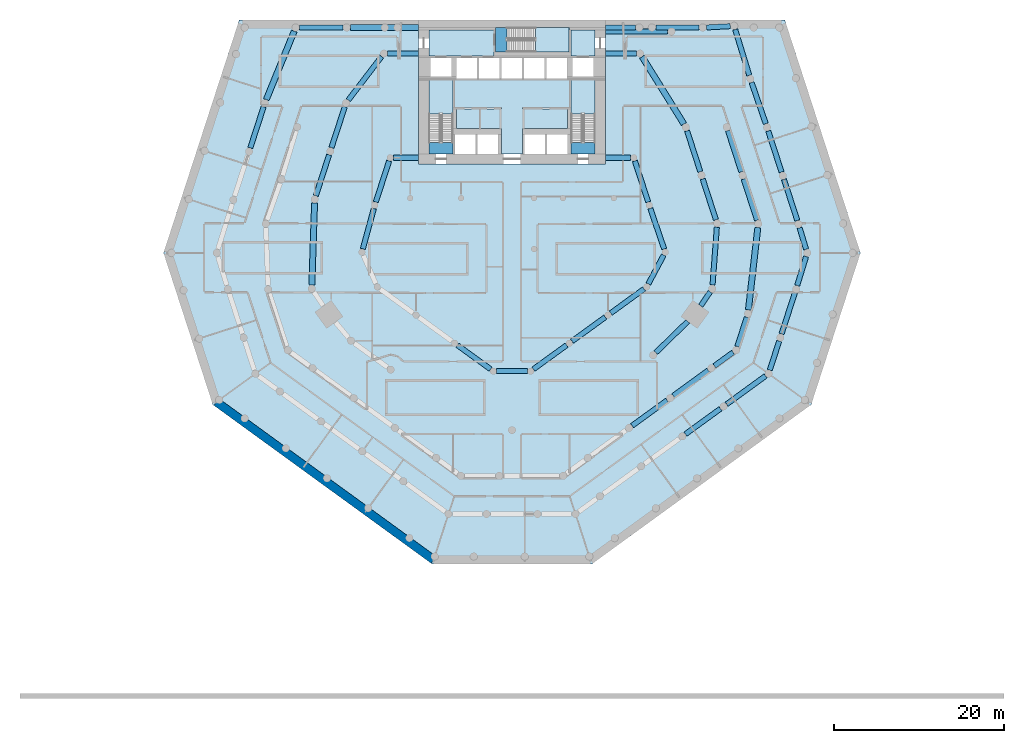
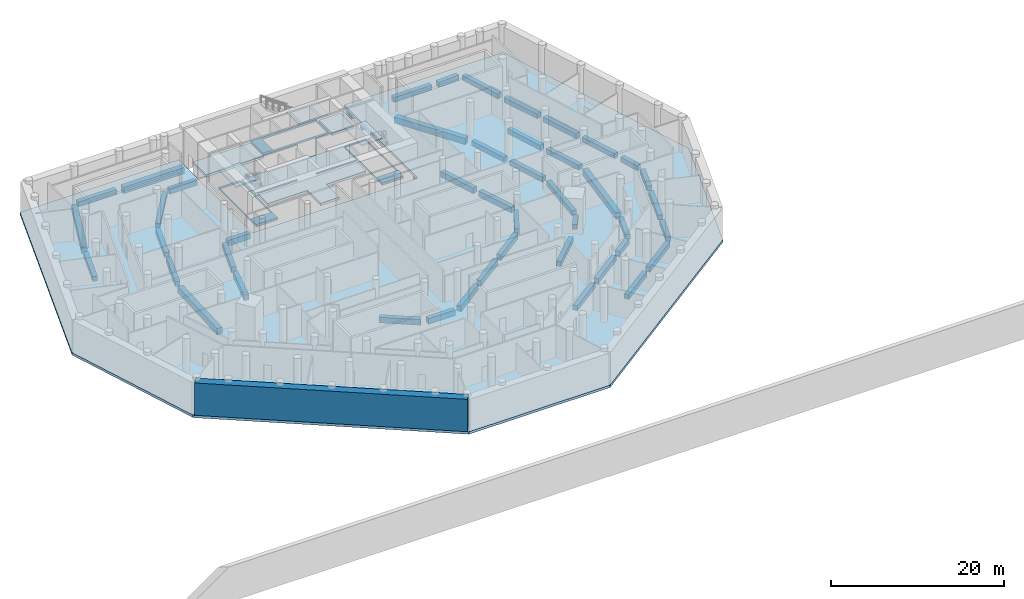
# One storey, part 2 of 10: 49 beams, 10 slabs, 1 wall, 3 elements without a shape of their own.
"""IFC4 building model written with IfcOpenShell, lengths in metres."""

from ifc_helpers import new_model, si_unit, direction, frame, frame_2d, origin, origin_2d, place, context, subcontext, project, spatial, polyline, rectangle, outline, extrude, material, layer, layer_set, material_profile, profile_set, type_object, element, aggregate, save


model = new_model("IFC4")

# Units and contexts
model_context = context("Model", 3, precision=1e-05, world=origin(), true_north=direction((0.0, 1.0)))
body_context = subcontext(model_context, "Body", "Model", "MODEL_VIEW")
ifc_project = project(units=[si_unit("LENGTHUNIT", "METRE"), si_unit("AREAUNIT", "SQUARE_METRE"), si_unit("VOLUMEUNIT", "CUBIC_METRE"), si_unit("PLANEANGLEUNIT", "RADIAN"), si_unit("MASSUNIT", "GRAM", prefix="KILO")], contexts=[model_context])

# Site, building, storey
site_placement = place(None, origin())
site = spatial("IfcSite", under=ifc_project, at=site_placement, CompositionType="ELEMENT")
building_placement = place(site_placement, origin())
building = spatial("IfcBuilding", under=site, at=building_placement, Name="White Candle Pilgrim Tower", CompositionType="ELEMENT")
storey_placement = place(building_placement, frame((0.0, 0.0, -5.0)))
storey = spatial("IfcBuildingStorey", under=building, at=storey_placement, Name="B1", CompositionType="ELEMENT", Elevation=-5.0)

# Beams
ifc_material_1 = material(Name="Concrete C50/60", Category="concrete")
ifc_material_profile_1 = material_profile(ifc_material_1, rectangle(XDim=0.60009765625, YDim=0.800048828125, at=origin_2d()), Name="RC-BM 600x800")
ifc_profile_set_1 = profile_set([ifc_material_profile_1], Name="Concrete C50/60")
beam_type_1 = type_object("IfcBeamType", Name="Ring beam RC-BM 600x800 C50/60", PredefinedType="BEAM", material=ifc_profile_set_1)
beam_1_placement = place(storey_placement, frame((63.56396484375, 49.66552734375, -0.75), z_axis=(0.810124276712, -0.586258182273, 0.0), x_axis=(0.586258182273, 0.810124276712, 0.0)))
element("IfcBeam", 1, at=beam_1_placement, inside=storey, type_object=beam_type_1, Name="B1 ring beam R04", PredefinedType="BEAM", context=body_context, shape_type="SweptSolid", body=[
    extrude(rectangle(XDim=0.60009765625, YDim=0.800048828125, at=origin_2d()), origin(), (0.0, 0.0, 1.0), 4.8291015625),
])
beam_2_placement = place(storey_placement, frame((68.199951171875, 46.60009765625, -0.75), z_axis=(1.0, 0.0, 0.0), x_axis=(0.0, 1.0, 0.0)))
element("IfcBeam", 2, at=beam_2_placement, inside=storey, type_object=beam_type_1, Name="B1 ring beam R05", PredefinedType="BEAM", context=body_context, shape_type="SweptSolid", body=[
    extrude(rectangle(XDim=0.60009765625, YDim=0.800048828125, at=origin_2d()), origin(), (0.0, 0.0, 1.0), 3.60009765625),
])
beam_3_placement = place(storey_placement, frame((72.52392578125, 46.83447265625, -0.75), z_axis=(0.810124276712, 0.586258182273, 0.0), x_axis=(-0.586258182273, 0.810124276712, 0.0)))
element("IfcBeam", 3, at=beam_3_placement, inside=storey, type_object=beam_type_1, Name="B1 ring beam R06", PredefinedType="BEAM", context=body_context, shape_type="SweptSolid", body=[
    extrude(rectangle(XDim=0.60009765625, YDim=0.800048828125, at=origin_2d()), origin(), (0.0, 0.0, 1.0), 4.8291015625),
])
beam_4_placement = place(storey_placement, frame((77.08349609375, 50.135009765625, -0.75), z_axis=(0.809305595912, 0.587387821141, 0.0), x_axis=(-0.587387821141, 0.809305595912, 0.0)))
element("IfcBeam", 4, at=beam_4_placement, inside=storey, type_object=beam_type_1, Name="B1 ring beam R07", PredefinedType="BEAM", context=body_context, shape_type="SweptSolid", body=[
    extrude(rectangle(XDim=0.60009765625, YDim=0.800048828125, at=origin_2d()), origin(), (0.0, 0.0, 1.0), 4.835205078125),
])
beam_5_placement = place(storey_placement, frame((81.643310546875, 53.4453125, -0.75), z_axis=(0.808428473545, 0.588594430115, 0.0), x_axis=(-0.588594430115, 0.808428473545, 0.0)))
element("IfcBeam", 5, at=beam_5_placement, inside=storey, type_object=beam_type_1, Name="B1 ring beam R08", PredefinedType="BEAM", context=body_context, shape_type="SweptSolid", body=[
    extrude(rectangle(XDim=0.60009765625, YDim=0.800048828125, at=origin_2d()), origin(), (0.0, 0.0, 1.0), 4.841064453125),
])
beam_6_placement = place(storey_placement, frame((86.068359375, 56.882568359375, -0.75), z_axis=(0.471131403924, 0.88206303643, 0.0), x_axis=(-0.88206303643, 0.471131403924, 0.0)))
element("IfcBeam", 6, at=beam_6_placement, inside=storey, type_object=beam_type_1, Name="B1 ring beam R09", PredefinedType="BEAM", context=body_context, shape_type="SweptSolid", body=[
    extrude(rectangle(XDim=0.60009765625, YDim=0.800048828125, at=origin_2d()), origin(), (0.0, 0.0, 1.0), 3.8486328125),
])
beam_7_placement = place(storey_placement, frame((87.940673828125, 61.008544921875, -0.75), z_axis=(-0.323420841131, 0.946255229588, 0.0), x_axis=(-0.946255229588, -0.323420841131, 0.0)))
element("IfcBeam", 7, at=beam_7_placement, inside=storey, type_object=beam_type_1, Name="B1 ring beam R10", PredefinedType="BEAM", context=body_context, shape_type="SweptSolid", body=[
    extrude(rectangle(XDim=0.60009765625, YDim=0.800048828125, at=origin_2d()), origin(), (0.0, 0.0, 1.0), 5.0439453125),
])
beam_8_placement = place(storey_placement, frame((86.056396484375, 66.540283203125, -0.75), z_axis=(-0.30907956305, 0.951036184225, 0.0), x_axis=(-0.951036184225, -0.30907956305, 0.0)))
element("IfcBeam", 8, at=beam_8_placement, inside=storey, type_object=beam_type_1, Name="B1 ring beam R11", PredefinedType="BEAM", context=body_context, shape_type="SweptSolid", body=[
    extrude(rectangle(XDim=0.60009765625, YDim=0.800048828125, at=origin_2d()), origin(), (0.0, 0.0, 1.0), 5.088623046875),
])
for number, where, z_axis, x_axis, name in (
    (9, (83.9599609375, 71.760009765625, -0.75), (-1.0, 0.0, 0.0), (0.0, -1.0, 0.0), "B1 ring beam R12"),
    (10, (56.0400390625, 71.760009765625, -0.75), (1.0, 0.0, 0.0), (0.0, 1.0, 0.0), "B1 ring beam R13"),
):
    element("IfcBeam", number, at=place(storey_placement, frame(where, z_axis=z_axis, x_axis=x_axis)), inside=storey, type_object=beam_type_1, Name=name, PredefinedType="BEAM", context=body_context, shape_type="SweptSolid", body=[
        extrude(rectangle(XDim=0.60009765625, YDim=0.800048828125, at=origin_2d()), origin(), (0.0, 0.0, 1.0), 2.9599609375),
    ])
beam_9_placement = place(storey_placement, frame((55.516357421875, 71.379638671875, -0.75), z_axis=(-0.30907956305, -0.951036184225, 0.0), x_axis=(0.951036184225, -0.30907956305, 0.0)))
element("IfcBeam", 11, at=beam_9_placement, inside=storey, type_object=beam_type_1, Name="B1 ring beam R14", PredefinedType="BEAM", context=body_context, shape_type="SweptSolid", body=[
    extrude(rectangle(XDim=0.60009765625, YDim=0.800048828125, at=origin_2d()), origin(), (0.0, 0.0, 1.0), 5.088623046875),
])
beam_10_placement = place(storey_placement, frame((53.714599609375, 65.774169921875, -0.75), z_axis=(-0.263418939206, -0.964681534221, 0.0), x_axis=(0.964681534221, -0.263418939206, 0.0)))
element("IfcBeam", 12, at=beam_10_placement, inside=storey, type_object=beam_type_1, Name="B1 ring beam R15", PredefinedType="BEAM", context=body_context, shape_type="SweptSolid", body=[
    extrude(rectangle(XDim=0.60009765625, YDim=0.800048828125, at=origin_2d()), origin(), (0.0, 0.0, 1.0), 4.9326171875),
])
ifc_material_profile_2 = material_profile(ifc_material_1, rectangle(XDim=0.60009765625, YDim=0.699951171875, at=origin_2d()), Name="RC-BM 600x700")
ifc_profile_set_2 = profile_set([ifc_material_profile_2], Name="Concrete C50/60")
beam_type_2 = type_object("IfcBeamType", Name="Spandrel beam RC-BM 600x700 C50/60", PredefinedType="BEAM", material=ifc_profile_set_2)
beam_11_placement = place(storey_placement, frame((86.96240234375, 48.8037109375, -0.699951171875), z_axis=(0.716431871675, 0.697657059914, 0.0), x_axis=(-0.697657059914, 0.716431871675, 0.0)))
element("IfcBeam", 13, at=beam_11_placement, inside=storey, type_object=beam_type_2, Name="B1 spandrel beam T04", PredefinedType="BEAM", context=body_context, shape_type="SweptSolid", body=[
    extrude(rectangle(XDim=0.60009765625, YDim=0.699951171875, at=origin_2d()), origin(), (0.0, 0.0, 1.0), 5.2275390625),
])
beam_12_placement = place(storey_placement, frame((92.248291015625, 54.297607421875, -0.699951171875), z_axis=(0.556617573138, 0.830768847077, 0.0), x_axis=(-0.830768847077, 0.556617573138, 0.0)))
element("IfcBeam", 14, at=beam_12_placement, inside=storey, type_object=beam_type_2, Name="B1 spandrel beam T05", PredefinedType="BEAM", context=body_context, shape_type="SweptSolid", body=[
    extrude(rectangle(XDim=0.60009765625, YDim=0.699951171875, at=origin_2d()), origin(), (0.0, 0.0, 1.0), 1.99658203125),
])
beam_13_placement = place(storey_placement, frame((93.643310546875, 56.77880859375, -0.699951171875), z_axis=(0.073911295307, 0.997264819607, 0.0), x_axis=(-0.997264819607, 0.073911295307, 0.0)))
element("IfcBeam", 15, at=beam_13_placement, inside=storey, type_object=beam_type_2, Name="B1 spandrel beam T06", PredefinedType="BEAM", context=body_context, shape_type="SweptSolid", body=[
    extrude(rectangle(XDim=0.60009765625, YDim=0.699951171875, at=origin_2d()), origin(), (0.0, 0.0, 1.0), 6.81103515625),
])
for number, where, z_axis, x_axis, name in (
    (16, (94.041015625, 64.447998046875, -0.699951171875), (-0.308620298764, 0.951185319058, 0.0), (-0.951185319058, -0.308620298764, 0.0), "B1 spandrel beam T07"),
    (17, (92.201171875, 70.117919921875, -0.699951171875), (-0.308663940381, 0.951171158051, 0.0), (-0.951171158051, -0.308663940381, 0.0), "B1 spandrel beam T08"),
):
    element("IfcBeam", number, at=place(storey_placement, frame(where, z_axis=z_axis, x_axis=x_axis)), inside=storey, type_object=beam_type_2, Name=name, PredefinedType="BEAM", context=body_context, shape_type="SweptSolid", body=[
        extrude(rectangle(XDim=0.60009765625, YDim=0.699951171875, at=origin_2d()), origin(), (0.0, 0.0, 1.0), 5.061279296875),
    ])
for number, where, z_axis, x_axis, name in (
    (18, (84.64990234375, 84.050048828125, -0.699951171875), (-1.0, 0.0, 0.0), (0.0, -1.0, 0.0), "B1 spandrel beam T10"),
    (19, (55.35009765625, 84.050048828125, -0.699951171875), (1.0, 0.0, 0.0), (0.0, 1.0, 0.0), "B1 spandrel beam T11"),
):
    element("IfcBeam", number, at=place(storey_placement, frame(where, z_axis=z_axis, x_axis=x_axis)), inside=storey, type_object=beam_type_2, Name=name, PredefinedType="BEAM", context=body_context, shape_type="SweptSolid", body=[
        extrude(rectangle(XDim=0.60009765625, YDim=0.699951171875, at=origin_2d()), origin(), (0.0, 0.0, 1.0), 3.64990234375),
    ])
beam_14_placement = place(storey_placement, frame((54.626708984375, 83.6923828125, -0.699951171875), z_axis=(-0.607156985118, -0.794581899758, 0.0), x_axis=(0.794581899758, -0.607156985118, 0.0)))
element("IfcBeam", 20, at=beam_14_placement, inside=storey, type_object=beam_type_2, Name="B1 spandrel beam T12", PredefinedType="BEAM", context=body_context, shape_type="SweptSolid", body=[
    extrude(rectangle(XDim=0.60009765625, YDim=0.699951171875, at=origin_2d()), origin(), (0.0, 0.0, 1.0), 6.462158203125),
])
beam_15_placement = place(storey_placement, frame((50.29052734375, 77.772216796875, -0.699951171875), z_axis=(-0.310219521213, -0.950664950789, 0.0), x_axis=(0.950664950789, -0.310219521213, 0.0)))
element("IfcBeam", 21, at=beam_15_placement, inside=storey, type_object=beam_type_2, Name="B1 spandrel beam T13", PredefinedType="BEAM", context=body_context, shape_type="SweptSolid", body=[
    extrude(rectangle(XDim=0.60009765625, YDim=0.699951171875, at=origin_2d()), origin(), (0.0, 0.0, 1.0), 5.064208984375),
])
beam_16_placement = place(storey_placement, frame((48.441162109375, 72.10205078125, -0.699951171875), z_axis=(-0.308663940381, -0.951171158051, 0.0), x_axis=(0.951171158051, -0.308663940381, 0.0)))
element("IfcBeam", 22, at=beam_16_placement, inside=storey, type_object=beam_type_2, Name="B1 spandrel beam T14", PredefinedType="BEAM", context=body_context, shape_type="SweptSolid", body=[
    extrude(rectangle(XDim=0.60009765625, YDim=0.699951171875, at=origin_2d()), origin(), (0.0, 0.0, 1.0), 5.061279296875),
])
beam_17_placement = place(storey_placement, frame((90.44482421875, 39.17626953125, -0.699951171875), z_axis=(0.809021578494, 0.587778942742, 0.0), x_axis=(-0.587778942742, 0.809021578494, 0.0)))
element("IfcBeam", 23, at=beam_17_placement, inside=storey, type_object=beam_type_2, Name="B1 spandrel beam B15", PredefinedType="BEAM", context=body_context, shape_type="SweptSolid", body=[
    extrude(rectangle(XDim=0.60009765625, YDim=0.699951171875, at=origin_2d()), origin(), (0.0, 0.0, 1.0), 5.1015625),
])
beam_18_placement = place(storey_placement, frame((95.2998046875, 42.703369140625, -0.699951171875), z_axis=(0.808998591139, 0.587810581339, 0.0), x_axis=(-0.587810581339, 0.808998591139, 0.0)))
element("IfcBeam", 24, at=beam_18_placement, inside=storey, type_object=beam_type_2, Name="B1 spandrel beam B16", PredefinedType="BEAM", context=body_context, shape_type="SweptSolid", body=[
    extrude(rectangle(XDim=0.60009765625, YDim=0.699951171875, at=origin_2d()), origin(), (0.0, 0.0, 1.0), 5.6689453125),
])
beam_19_placement = place(storey_placement, frame((100.388916015625, 46.727783203125, -0.699951171875), z_axis=(0.309029111375, 0.951052579158, 0.0), x_axis=(-0.951052579158, 0.309029111375, 0.0)))
element("IfcBeam", 25, at=beam_19_placement, inside=storey, type_object=beam_type_2, Name="B1 spandrel beam B17", PredefinedType="BEAM", context=body_context, shape_type="SweptSolid", body=[
    extrude(rectangle(XDim=0.60009765625, YDim=0.699951171875, at=origin_2d()), origin(), (0.0, 0.0, 1.0), 3.5859375),
])
beam_20_placement = place(storey_placement, frame((101.77490234375, 50.993896484375, -0.699951171875), z_axis=(0.308996245399, 0.951063257796, 0.0), x_axis=(-0.951063257796, 0.308996245399, 0.0)))
element("IfcBeam", 26, at=beam_20_placement, inside=storey, type_object=beam_type_2, Name="B1 spandrel beam B18", PredefinedType="BEAM", context=body_context, shape_type="SweptSolid", body=[
    extrude(rectangle(XDim=0.60009765625, YDim=0.699951171875, at=origin_2d()), origin(), (0.0, 0.0, 1.0), 5.100830078125),
])
beam_21_placement = place(storey_placement, frame((103.6220703125, 56.702880859375, -0.699951171875), z_axis=(0.293527291605, 0.955950693856, 0.0), x_axis=(-0.955950693856, 0.293527291605, 0.0)))
element("IfcBeam", 27, at=beam_21_placement, inside=storey, type_object=beam_type_2, Name="B1 spandrel beam B19", PredefinedType="BEAM", context=body_context, shape_type="SweptSolid", body=[
    extrude(rectangle(XDim=0.60009765625, YDim=0.699951171875, at=origin_2d()), origin(), (0.0, 0.0, 1.0), 3.563232421875),
])
beam_22_placement = place(storey_placement, frame((104.669921875, 60.969482421875, -0.699951171875), z_axis=(-0.289420955616, 0.957201917283, 0.0), x_axis=(-0.957201917283, -0.289420955616, 0.0)))
element("IfcBeam", 28, at=beam_22_placement, inside=storey, type_object=beam_type_2, Name="B1 spandrel beam B20", PredefinedType="BEAM", context=body_context, shape_type="SweptSolid", body=[
    extrude(rectangle(XDim=0.60009765625, YDim=0.699951171875, at=origin_2d()), origin(), (0.0, 0.0, 1.0), 2.646240234375),
])
beam_23_placement = place(storey_placement, frame((103.635009765625, 64.36083984375, -0.699951171875), z_axis=(-0.309126113006, 0.951021054582, 0.0), x_axis=(-0.951021054582, -0.309126113006, 0.0)))
element("IfcBeam", 29, at=beam_23_placement, inside=storey, type_object=beam_type_2, Name="B1 spandrel beam B21", PredefinedType="BEAM", context=body_context, shape_type="SweptSolid", body=[
    extrude(rectangle(XDim=0.60009765625, YDim=0.699951171875, at=origin_2d()), origin(), (0.0, 0.0, 1.0), 5.10107421875),
])
beam_24_placement = place(storey_placement, frame((101.780029296875, 70.06787109375, -0.699951171875), z_axis=(-0.309009217467, 0.951059043131, 0.0), x_axis=(-0.951059043131, -0.309009217467, 0.0)))
element("IfcBeam", 30, at=beam_24_placement, inside=storey, type_object=beam_type_2, Name="B1 spandrel beam B22", PredefinedType="BEAM", context=body_context, shape_type="SweptSolid", body=[
    extrude(rectangle(XDim=0.60009765625, YDim=0.699951171875, at=origin_2d()), origin(), (0.0, 0.0, 1.0), 5.099853515625),
])
beam_25_placement = place(storey_placement, frame((99.918701171875, 75.771484375, -0.699951171875), z_axis=(-0.325498305498, 0.945542623639, 0.0), x_axis=(-0.945542623639, -0.325498305498, 0.0)))
element("IfcBeam", 31, at=beam_25_placement, inside=storey, type_object=beam_type_2, Name="B1 spandrel beam B23", PredefinedType="BEAM", context=body_context, shape_type="SweptSolid", body=[
    extrude(rectangle(XDim=0.60009765625, YDim=0.699951171875, at=origin_2d()), origin(), (0.0, 0.0, 1.0), 5.134765625),
])
beam_26_placement = place(storey_placement, frame((97.968994140625, 81.48193359375, -0.699951171875), z_axis=(-0.293778442659, 0.955873541128, 0.0), x_axis=(-0.955873541128, -0.293778442659, 0.0)))
element("IfcBeam", 32, at=beam_26_placement, inside=storey, type_object=beam_type_2, Name="B1 spandrel beam B24", PredefinedType="BEAM", context=body_context, shape_type="SweptSolid", body=[
    extrude(rectangle(XDim=0.60009765625, YDim=0.699951171875, at=origin_2d()), origin(), (0.0, 0.0, 1.0), 5.636962890625),
])
for number, where, z_axis, x_axis, name in (
    (33, (40.722900390625, 77.771240234375, -0.699951171875), (-0.309009217467, -0.951059043131, 0.0), (0.951059043131, -0.309009217467, 0.0), "B1 spandrel beam B26"),
    (34, (84.159912109375, 40.17236328125, -0.699951171875), (0.809069240735, 0.587713334625, 0.0), (-0.587713334625, 0.809069240735, 0.0), "B1 spandrel beam C11"),
):
    element("IfcBeam", number, at=place(storey_placement, frame(where, z_axis=z_axis, x_axis=x_axis)), inside=storey, type_object=beam_type_2, Name=name, PredefinedType="BEAM", context=body_context, shape_type="SweptSolid", body=[
        extrude(rectangle(XDim=0.60009765625, YDim=0.699951171875, at=origin_2d()), origin(), (0.0, 0.0, 1.0), 5.099853515625),
    ])
beam_27_placement = place(storey_placement, frame((89.013916015625, 43.698486328125, -0.699951171875), z_axis=(0.80900095282, 0.587807330965, 0.0), x_axis=(-0.587807330965, 0.80900095282, 0.0)))
element("IfcBeam", 35, at=beam_27_placement, inside=storey, type_object=beam_type_2, Name="B1 spandrel beam C12", PredefinedType="BEAM", context=body_context, shape_type="SweptSolid", body=[
    extrude(rectangle(XDim=0.60009765625, YDim=0.699951171875, at=origin_2d()), origin(), (0.0, 0.0, 1.0), 5.100341796875),
])
beam_28_placement = place(storey_placement, frame((93.867919921875, 47.225341796875, -0.699951171875), z_axis=(0.809008975915, 0.587796288598, 0.0), x_axis=(-0.587796288598, 0.809008975915, 0.0)))
element("IfcBeam", 36, at=beam_28_placement, inside=storey, type_object=beam_type_2, Name="B1 spandrel beam C13", PredefinedType="BEAM", context=body_context, shape_type="SweptSolid", body=[
    extrude(rectangle(XDim=0.60009765625, YDim=0.699951171875, at=origin_2d()), origin(), (0.0, 0.0, 1.0), 2.707275390625),
])
beam_29_placement = place(storey_placement, frame((96.56103515625, 49.5087890625, -0.699951171875), z_axis=(0.308944435163, 0.951080089152, 0.0), x_axis=(-0.951080089152, 0.308944435163, 0.0)))
element("IfcBeam", 37, at=beam_29_placement, inside=storey, type_object=beam_type_2, Name="B1 spandrel beam C14", PredefinedType="BEAM", context=body_context, shape_type="SweptSolid", body=[
    extrude(rectangle(XDim=0.60009765625, YDim=0.699951171875, at=origin_2d()), origin(), (0.0, 0.0, 1.0), 3.624755859375),
])
beam_30_placement = place(storey_placement, frame((98.89111328125, 64.396728515625, -0.699951171875), z_axis=(-0.308982180599, 0.951067827272, 0.0), x_axis=(-0.951067827272, -0.308982180599, 0.0)))
element("IfcBeam", 38, at=beam_30_placement, inside=storey, type_object=beam_type_2, Name="B1 spandrel beam C16", PredefinedType="BEAM", context=body_context, shape_type="SweptSolid", body=[
    extrude(rectangle(XDim=0.60009765625, YDim=0.699951171875, at=origin_2d()), origin(), (0.0, 0.0, 1.0), 5.10107421875),
])
beam_31_placement = place(storey_placement, frame((97.037109375, 70.103759765625, -0.699951171875), z_axis=(-0.30905251673, 0.951044973649, 0.0), x_axis=(-0.951044973649, -0.30905251673, 0.0)))
element("IfcBeam", 39, at=beam_31_placement, inside=storey, type_object=beam_type_2, Name="B1 spandrel beam C17", PredefinedType="BEAM", context=body_context, shape_type="SweptSolid", body=[
    extrude(rectangle(XDim=0.60009765625, YDim=0.699951171875, at=origin_2d()), origin(), (0.0, 0.0, 1.0), 5.10009765625),
])
beam_32_placement = place(storey_placement, frame((88.35009765625, 86.631103515625, -0.699951171875), z_axis=(-1.0, 0.0, 0.0), x_axis=(0.0, -1.0, 0.0)))
element("IfcBeam", 40, at=beam_32_placement, inside=storey, type_object=beam_type_2, Name="B1 spandrel beam C18", PredefinedType="BEAM", context=body_context, shape_type="SweptSolid", body=[
    extrude(rectangle(XDim=0.60009765625, YDim=0.699951171875, at=origin_2d()), origin(), (0.0, 0.0, 1.0), 7.35009765625),
])
beam_33_placement = place(storey_placement, frame((44.949951171875, 87.10009765625, -0.699951171875), z_axis=(1.0, 0.0, 0.0), x_axis=(0.0, 1.0, 0.0)))
element("IfcBeam", 41, at=beam_33_placement, inside=storey, type_object=beam_type_2, Name="B1 spandrel beam N01", PredefinedType="BEAM", context=body_context, shape_type="SweptSolid", body=[
    extrude(rectangle(XDim=0.60009765625, YDim=0.699951171875, at=origin_2d()), origin(), (0.0, 0.0, 1.0), 5.10009765625),
])
beam_34_placement = place(storey_placement, frame((84.550048828125, 87.10009765625, -0.699951171875), z_axis=(-1.0, 0.0, 0.0), x_axis=(0.0, -1.0, 0.0)))
element("IfcBeam", 42, at=beam_34_placement, inside=storey, type_object=beam_type_2, Name="B1 spandrel beam N04", PredefinedType="BEAM", context=body_context, shape_type="SweptSolid", body=[
    extrude(rectangle(XDim=0.60009765625, YDim=0.699951171875, at=origin_2d()), origin(), (0.0, 0.0, 1.0), 3.550048828125),
])
beam_35_placement = place(storey_placement, frame((86.949951171875, 87.10009765625, -0.699951171875), z_axis=(1.0, 0.0, 0.0), x_axis=(0.0, 1.0, 0.0)))
element("IfcBeam", 43, at=beam_35_placement, inside=storey, type_object=beam_type_2, Name="B1 spandrel beam N05", PredefinedType="BEAM", context=body_context, shape_type="SweptSolid", body=[
    extrude(rectangle(XDim=0.60009765625, YDim=0.699951171875, at=origin_2d()), origin(), (0.0, 0.0, 1.0), 5.10009765625),
])
beam_36_placement = place(storey_placement, frame((92.94921875, 87.12451171875, -0.699951171875), z_axis=(0.998528329196, 0.05423260821, 0.0), x_axis=(-0.05423260821, 0.998528329196, 0.0)))
element("IfcBeam", 44, at=beam_36_placement, inside=storey, type_object=beam_type_2, Name="B1 spandrel beam N06", PredefinedType="BEAM", context=body_context, shape_type="SweptSolid", body=[
    extrude(rectangle(XDim=0.60009765625, YDim=0.699951171875, at=origin_2d()), origin(), (0.0, 0.0, 1.0), 2.78662109375),
])
ifc_material_profile_3 = material_profile(ifc_material_1, rectangle(XDim=0.699951171875, YDim=0.89990234375, at=origin_2d()), Name="RC-BM 700x900")
ifc_profile_set_3 = profile_set([ifc_material_profile_3], Name="Concrete C50/60")
beam_type_3 = type_object("IfcBeamType", Name="Spandrel beam RC-BM 700x900 C50/60", PredefinedType="BEAM", material=ifc_profile_set_3)
beam_37_placement = place(storey_placement, frame((90.2626953125, 75.741943359375, -0.800048828125), z_axis=(-0.527803040247, 0.849366793974, 0.0), x_axis=(-0.849366793974, -0.527803040247, 0.0)))
element("IfcBeam", 45, at=beam_37_placement, inside=storey, type_object=beam_type_3, Name="B1 spandrel beam T09", PredefinedType="BEAM", context=body_context, shape_type="SweptSolid", body=[
    extrude(rectangle(XDim=0.699951171875, YDim=0.89990234375, at=origin_2d()), origin(), (0.0, 0.0, 1.0), 9.331787109375),
])
beam_38_placement = place(storey_placement, frame((46.72509765625, 66.410400390625, -0.800048828125), z_axis=(-0.033240594223, -0.999447378753, 0.0), x_axis=(0.999447378753, -0.033240594223, 0.0)))
element("IfcBeam", 46, at=beam_38_placement, inside=storey, type_object=beam_type_3, Name="B1 spandrel beam T15", PredefinedType="BEAM", context=body_context, shape_type="SweptSolid", body=[
    extrude(rectangle(XDim=0.699951171875, YDim=0.89990234375, at=origin_2d()), origin(), (0.0, 0.0, 1.0), 9.63623046875),
])
beam_39_placement = place(storey_placement, frame((44.329833984375, 86.68359375, -0.800048828125), z_axis=(-0.378339434052, -0.925666933968, 0.0), x_axis=(0.925666933968, -0.378339434052, 0.0)))
element("IfcBeam", 47, at=beam_39_placement, inside=storey, type_object=beam_type_3, Name="B1 spandrel beam B25", PredefinedType="BEAM", context=body_context, shape_type="SweptSolid", body=[
    extrude(rectangle(XDim=0.699951171875, YDim=0.89990234375, at=origin_2d()), origin(), (0.0, 0.0, 1.0), 8.716064453125),
])
beam_40_placement = place(storey_placement, frame((97.87109375, 53.830810546875, -0.800048828125), z_axis=(0.113579061518, 0.993528961221, 0.0), x_axis=(-0.993528961221, 0.113579061518, 0.0)))
element("IfcBeam", 48, at=beam_40_placement, inside=storey, type_object=beam_type_3, Name="B1 spandrel beam C15", PredefinedType="BEAM", context=body_context, shape_type="SweptSolid", body=[
    extrude(rectangle(XDim=0.699951171875, YDim=0.89990234375, at=origin_2d()), origin(), (0.0, 0.0, 1.0), 9.754638671875),
])
beam_41_placement = place(storey_placement, frame((50.949951171875, 87.10009765625, -0.800048828125), z_axis=(1.0, 0.0, 0.0), x_axis=(0.0, 1.0, 0.0)))
element("IfcBeam", 49, at=beam_41_placement, inside=storey, type_object=beam_type_3, Name="B1 spandrel beam C20", PredefinedType="BEAM", context=body_context, shape_type="SweptSolid", body=[
    extrude(rectangle(XDim=0.699951171875, YDim=0.89990234375, at=origin_2d()), origin(), (0.0, 0.0, 1.0), 8.050048828125),
])

# Slabs
ifc_material_2 = material(Name="Concrete C40/50", Category="concrete")
ifc_layer_1 = layer(ifc_material_2, 0.35009765625)
ifc_layer_set_1 = layer_set([ifc_layer_1], Name="Core floor slab 350 mm Concrete C40/50")
slab_type_1 = type_object("IfcSlabType", Name="Core floor slab 350 mm Concrete C40/50", PredefinedType="FLOOR", material=ifc_layer_set_1)
slab_1_placement = place(storey_placement, frame((0.0, 0.0, -0.35009765625)))
element("IfcSlab", 50, at=slab_1_placement, inside=storey, type_object=slab_type_1, Name="CF-B1-01", PredefinedType="FLOOR", context=body_context, shape_type="SweptSolid", body=[
    extrude(outline(polyline([(67.85009765625, 86.800048828125), (67.85009765625, 84.25), (67.85009765625, 83.75), (60.199951171875, 83.75), (60.199951171875, 86.800048828125), (67.85009765625, 86.800048828125)])), origin(), (0.0, 0.0, 1.0), 0.35009765625),
])
slab_2_placement = place(storey_placement, frame((0.0, 0.0, -0.35009765625)))
element("IfcSlab", 51, at=slab_2_placement, inside=storey, type_object=slab_type_1, Name="CF-B1-02", PredefinedType="FLOOR", context=body_context, shape_type="SweptSolid", body=[
    extrude(outline(polyline([(68.050048828125, 87.10009765625), (76.75, 87.10009765625), (76.75, 86.800048828125), (76.75, 84.25), (68.050048828125, 84.25), (68.050048828125, 86.800048828125), (68.050048828125, 87.10009765625)]), holes=[polyline([(69.402099609375, 87.097900390625), (69.402099609375, 84.251953125), (76.748046875, 84.251953125), (76.748046875, 87.097900390625), (69.402099609375, 87.097900390625)])]), origin(), (0.0, 0.0, 1.0), 0.35009765625),
])
slab_3_placement = place(storey_placement, frame((0.0, 0.0, -0.35009765625)))
element("IfcSlab", 52, at=slab_3_placement, inside=storey, type_object=slab_type_1, Name="CF-B1-03", PredefinedType="FLOOR", context=body_context, shape_type="SweptSolid", body=[
    extrude(outline(polyline([(79.800048828125, 86.800048828125), (79.800048828125, 83.75), (76.949951171875, 83.75), (76.949951171875, 84.25), (76.949951171875, 86.800048828125), (79.800048828125, 86.800048828125)])), origin(), (0.0, 0.0, 1.0), 0.35009765625),
])
slab_4_placement = place(storey_placement, frame((0.0, 0.0, -0.35009765625)))
element("IfcSlab", 53, at=slab_4_placement, inside=storey, type_object=slab_type_1, Name="CF-B1-04", PredefinedType="FLOOR", context=body_context, shape_type="SweptSolid", body=[
    extrude(outline(polyline([(79.800048828125, 72.199951171875), (76.949951171875, 72.199951171875), (76.949951171875, 74.5), (76.949951171875, 75.199951171875), (76.949951171875, 77.5), (76.949951171875, 77.699951171875), (76.949951171875, 80.89990234375), (79.800048828125, 80.89990234375), (79.800048828125, 72.199951171875)]), holes=[polyline([(76.951904296875, 73.552001953125), (79.798095703125, 73.552001953125), (79.798095703125, 80.89794921875), (76.951904296875, 80.89794921875), (76.951904296875, 73.552001953125)])]), origin(), (0.0, 0.0, 1.0), 0.35009765625),
])
slab_5_placement = place(storey_placement, frame((0.0, 0.0, -0.35009765625)))
element("IfcSlab", 54, at=slab_5_placement, inside=storey, type_object=slab_type_1, Name="CF-B1-05", PredefinedType="FLOOR", context=body_context, shape_type="SweptSolid", body=[
    extrude(outline(polyline([(68.75, 72.199951171875), (68.75, 74.5), (68.75, 75.199951171875), (63.449951171875, 75.199951171875), (63.449951171875, 77.5), (68.75, 77.5), (68.75, 77.699951171875), (63.25, 77.699951171875), (63.25, 80.89990234375), (76.75, 80.89990234375), (76.75, 77.699951171875), (71.25, 77.699951171875), (71.25, 77.5), (76.550048828125, 77.5), (76.550048828125, 75.199951171875), (71.25, 75.199951171875), (71.25, 74.5), (71.25, 72.199951171875), (68.75, 72.199951171875)])), origin(), (0.0, 0.0, 1.0), 0.35009765625),
])
slab_6_placement = place(storey_placement, frame((0.0, 0.0, -0.35009765625)))
element("IfcSlab", 55, at=slab_6_placement, inside=storey, type_object=slab_type_1, Name="CF-B1-06", PredefinedType="FLOOR", context=body_context, shape_type="SweptSolid", body=[
    extrude(outline(polyline([(60.199951171875, 72.199951171875), (60.199951171875, 80.89990234375), (63.050048828125, 80.89990234375), (63.050048828125, 77.699951171875), (63.050048828125, 77.5), (63.050048828125, 75.199951171875), (63.050048828125, 74.5), (63.050048828125, 72.199951171875), (60.199951171875, 72.199951171875)]), holes=[polyline([(63.048095703125, 73.552001953125), (63.048095703125, 80.89794921875), (60.201904296875, 80.89794921875), (60.201904296875, 73.552001953125), (63.048095703125, 73.552001953125)])]), origin(), (0.0, 0.0, 1.0), 0.35009765625),
])
ifc_layer_2 = layer(ifc_material_2, 0.35009765625)
ifc_layer_set_2 = layer_set([ifc_layer_2], Name="Floor slab 350 REI 120")
slab_type_2 = type_object("IfcSlabType", Name="Floor slab 350 REI 120", PredefinedType="FLOOR", material=ifc_layer_set_2)
slab_7_placement = place(storey_placement, frame((0.0, 0.0, -0.35009765625)))
element("IfcSlab", 56, at=slab_7_placement, inside=storey, type_object=slab_type_2, Name="B1 floor slab", PredefinedType="FLOOR", context=body_context, shape_type="SweptSolid", body=[
    extrude(outline(polyline([(60.596923828125, 23.861083984375), (79.403076171875, 23.861083984375), (105.268798828125, 42.653564453125), (111.080078125, 60.539306640625), (102.157470703125, 88.0), (81.0, 88.0), (81.0, 71.0), (59.0, 71.0), (59.0, 88.0), (37.842529296875, 88.0), (28.919921875, 60.539306640625), (34.731201171875, 42.653564453125), (60.596923828125, 23.861083984375)])), origin(), (0.0, 0.0, 1.0), 0.35009765625),
])

# Stair, slab
stair_type_1 = type_object("IfcStairType", Name="Exit stair 1 flight width 1350 mm", PredefinedType="HALF_TURN_STAIR", material=ifc_material_2)
stair_1_placement = place(storey_placement, origin())
stair_1 = element("IfcStair", 57, at=stair_1_placement, inside=storey, type_object=stair_type_1, Name="B1 stair 1", PredefinedType="NOTDEFINED")
ifc_layer_3 = layer(ifc_material_2, 0.199951171875)
ifc_layer_set_3 = layer_set([ifc_layer_3], Name="Stair landing Concrete C40/50")
slab_type_3 = type_object("IfcSlabType", Name="Stair landing Concrete C40/50", PredefinedType="LANDING", material=ifc_layer_set_3)
slab_8_placement = place(storey_placement, frame((0.0, 0.0, 2.300048828125)))
slab_8 = element("IfcSlab", 58, at=slab_8_placement, type_object=slab_type_3, Name="ST1 landing 1", PredefinedType="LANDING", context=body_context, shape_type="SweptSolid", body=[
    extrude(outline(polyline([(63.052001953125, 76.927978515625), (60.197998046875, 76.927978515625), (60.197998046875, 80.902099609375), (63.052001953125, 80.902099609375), (63.052001953125, 76.927978515625)])), origin(), (0.0, 0.0, 1.0), 0.199951171875),
])
aggregate(stair_1, [slab_8])

stair_type_2 = type_object("IfcStairType", Name="Exit stair 2 flight width 1350 mm", PredefinedType="HALF_TURN_STAIR", material=ifc_material_2)
stair_2_placement = place(storey_placement, origin())
stair_2 = element("IfcStair", 59, at=stair_2_placement, inside=storey, type_object=stair_type_2, Name="B1 stair 2", PredefinedType="NOTDEFINED")
slab_9_placement = place(storey_placement, frame((0.0, 0.0, 2.300048828125)))
slab_9 = element("IfcSlab", 60, at=slab_9_placement, type_object=slab_type_3, Name="ST2 landing 1", PredefinedType="LANDING", context=body_context, shape_type="SweptSolid", body=[
    extrude(outline(polyline([(79.802001953125, 76.927978515625), (76.947998046875, 76.927978515625), (76.947998046875, 80.902099609375), (79.802001953125, 80.902099609375), (79.802001953125, 76.927978515625)])), origin(), (0.0, 0.0, 1.0), 0.199951171875),
])
aggregate(stair_2, [slab_9])

stair_type_3 = type_object("IfcStairType", Name="Exit stair 3 flight width 1350 mm", PredefinedType="HALF_TURN_STAIR", material=ifc_material_2)
stair_3_placement = place(storey_placement, origin())
stair_3 = element("IfcStair", 61, at=stair_3_placement, inside=storey, type_object=stair_type_3, Name="B1 stair 3", PredefinedType="NOTDEFINED")
slab_10_placement = place(storey_placement, frame((0.0, 0.0, 2.300048828125)))
slab_10 = element("IfcSlab", 62, at=slab_10_placement, type_object=slab_type_3, Name="ST3 landing 1", PredefinedType="LANDING", context=body_context, shape_type="SweptSolid", body=[
    extrude(outline(polyline([(72.778076171875, 84.248046875), (72.778076171875, 87.10205078125), (76.751953125, 87.10205078125), (76.751953125, 84.248046875), (72.778076171875, 84.248046875)])), origin(), (0.0, 0.0, 1.0), 0.199951171875),
])
aggregate(stair_3, [slab_10])

# Wall
ifc_layer_4 = layer(ifc_material_2, 1.0)
ifc_layer_set_4 = layer_set([ifc_layer_4], Name="Diaphragm wall 1000")
wall_type = type_object("IfcWallType", Name="Diaphragm wall 1000", PredefinedType="SOLIDWALL", material=ifc_layer_set_4)
wall_placement = place(storey_placement, frame((60.759521484375, 24.361083984375, 0.0), z_axis=(0.0, 0.0, 1.0), x_axis=(-0.809018883304, 0.587782652396, 0.0)))
element("IfcWall", 63, at=wall_placement, inside=storey, type_object=wall_type, Name="Diaphragm wall B1-04", PredefinedType="SOLIDWALL", context=body_context, shape_type="SweptSolid", body=[
    extrude(rectangle(XDim=31.64697265625, YDim=1.0, at=frame_2d((15.823486328125, 0.0))), origin(), (0.0, 0.0, 1.0), 4.550048828125),
])

save(model, "model.ifc")
